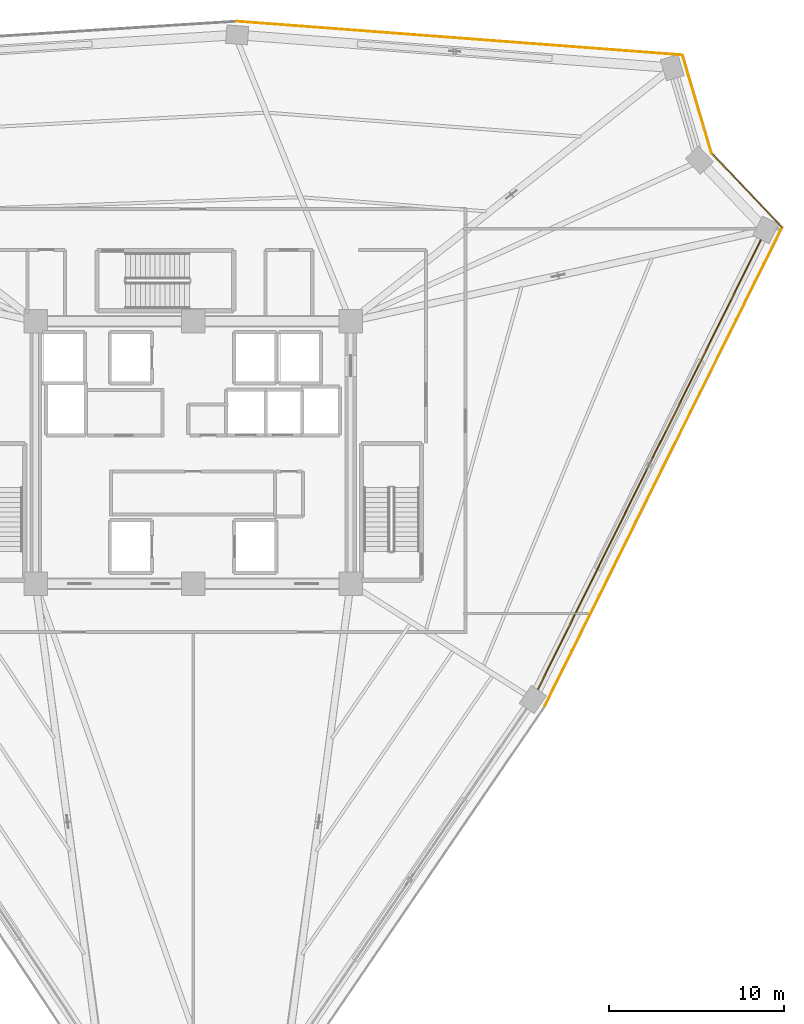
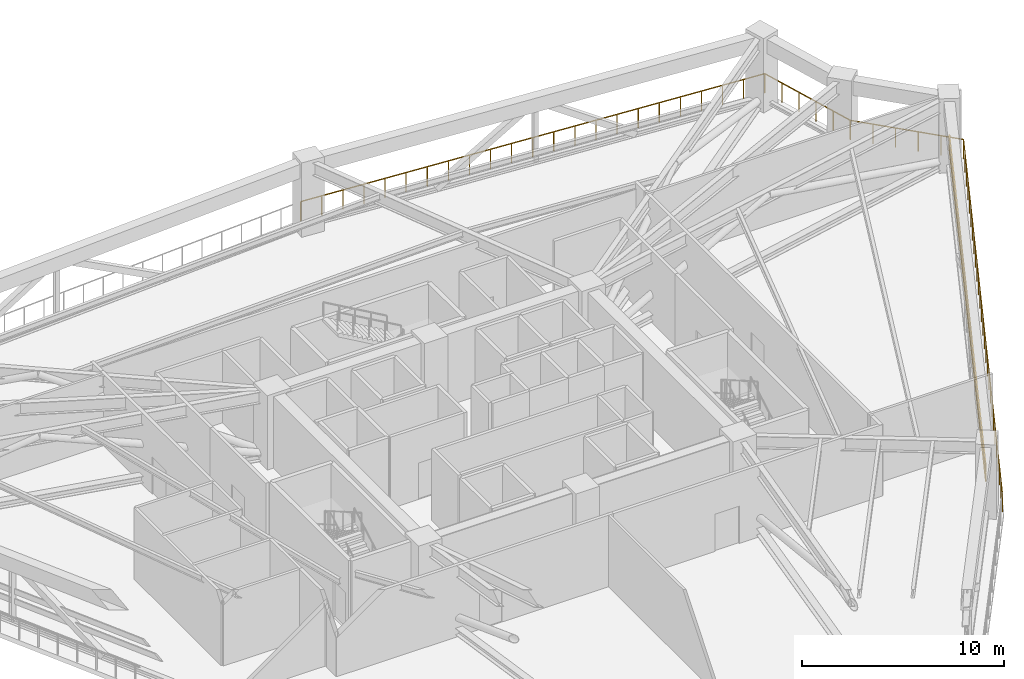
# One storey, part 25 of 25: 4 railings, 2 shading devices.
"""IFC4 building model written with IfcOpenShell, lengths in metres."""

from ifc_helpers import new_model, si_unit, direction, frame, origin, origin_2d, place, context, subcontext, project, spatial, rectangle, extrude, source, transform, mapped, material, material_profile, profile_set, type_object, element, save


model = new_model("IFC4")

# Units and contexts
model_context = context("Model", 3, precision=1e-05, world=origin(), true_north=direction((0.0, 1.0)))
body_context = subcontext(model_context, "Body", "Model", "MODEL_VIEW")
ifc_project = project(units=[si_unit("LENGTHUNIT", "METRE"), si_unit("AREAUNIT", "SQUARE_METRE"), si_unit("VOLUMEUNIT", "CUBIC_METRE"), si_unit("PLANEANGLEUNIT", "RADIAN"), si_unit("MASSUNIT", "GRAM", prefix="KILO")], contexts=[model_context])

# Site, building, storey
site_placement = place(None, origin())
site = spatial("IfcSite", under=ifc_project, at=site_placement, CompositionType="ELEMENT")
building_placement = place(site_placement, origin())
building = spatial("IfcBuilding", under=site, at=building_placement, Name="Liaohun Quay Tower", CompositionType="ELEMENT")
storey_placement = place(building_placement, frame((0.0, 0.0, 231.75)))
storey = spatial("IfcBuildingStorey", under=building, at=storey_placement, Name="L60", CompositionType="ELEMENT", Elevation=231.75)

# Railings
ifc_material_1 = material(Name="Galvanised and powder-coated steel", Category="steel")
railing_type = type_object("IfcRailingType", Name="RLG-GUARD-EXT", PredefinedType="GUARDRAIL", material=ifc_material_1)
railing_1_placement = place(storey_placement, frame((62.52294921875, 78.64111328125, 0.0)))
element("IfcRailing", 1, at=railing_1_placement, inside=storey, type_object=railing_type, Name="L60 Open Refuge Band Perimeter Guardrail 06", PredefinedType="GUARDRAIL", context=body_context, shape_type="SweptSolid", body=[
    extrude(rectangle(XDim=0.048095703125, YDim=0.048095703125, at=origin_2d()), frame((0.0, 0.0, 1.17578125), z_axis=(0.997156570407, -0.07535764125, 0.0), x_axis=(0.07535764125, 0.997156570407, 0.0)), (0.0, 0.0, 1.0), 25.51953125),
    extrude(rectangle(XDim=0.0419921875, YDim=0.0419921875, at=origin_2d()), origin(), (0.0, 0.0, 1.0), 1.15185546875),
    extrude(rectangle(XDim=0.0419921875, YDim=0.0419921875, at=origin_2d()), frame((1.15673828125, -0.08740234375, 0.0)), (0.0, 0.0, 1.0), 1.15185546875),
    extrude(rectangle(XDim=0.0419921875, YDim=0.0419921875, at=origin_2d()), frame((2.3134765625, -0.1748046875, 0.0)), (0.0, 0.0, 1.0), 1.15185546875),
    extrude(rectangle(XDim=0.0419921875, YDim=0.0419921875, at=origin_2d()), frame((3.469970703125, -0.26220703125, 0.0)), (0.0, 0.0, 1.0), 1.15185546875),
    extrude(rectangle(XDim=0.0419921875, YDim=0.0419921875, at=origin_2d()), frame((4.626708984375, -0.349609375, 0.0)), (0.0, 0.0, 1.0), 1.15185546875),
    extrude(rectangle(XDim=0.0419921875, YDim=0.0419921875, at=origin_2d()), frame((5.783447265625, -0.43701171875, 0.0)), (0.0, 0.0, 1.0), 1.15185546875),
    extrude(rectangle(XDim=0.0419921875, YDim=0.0419921875, at=origin_2d()), frame((6.940185546875, -0.5244140625, 0.0)), (0.0, 0.0, 1.0), 1.15185546875),
    extrude(rectangle(XDim=0.0419921875, YDim=0.0419921875, at=origin_2d()), frame((8.0966796875, -0.61181640625, 0.0)), (0.0, 0.0, 1.0), 1.15185546875),
    extrude(rectangle(XDim=0.0419921875, YDim=0.0419921875, at=origin_2d()), frame((9.25341796875, -0.69921875, 0.0)), (0.0, 0.0, 1.0), 1.15185546875),
    extrude(rectangle(XDim=0.0419921875, YDim=0.0419921875, at=origin_2d()), frame((10.41015625, -0.78662109375, 0.0)), (0.0, 0.0, 1.0), 1.15185546875),
    extrude(rectangle(XDim=0.0419921875, YDim=0.0419921875, at=origin_2d()), frame((11.56689453125, -0.8740234375, 0.0)), (0.0, 0.0, 1.0), 1.15185546875),
    extrude(rectangle(XDim=0.0419921875, YDim=0.0419921875, at=origin_2d()), frame((12.7236328125, -0.96142578125, 0.0)), (0.0, 0.0, 1.0), 1.15185546875),
    extrude(rectangle(XDim=0.0419921875, YDim=0.0419921875, at=origin_2d()), frame((13.880126953125, -1.049072265625, 0.0)), (0.0, 0.0, 1.0), 1.15185546875),
    extrude(rectangle(XDim=0.0419921875, YDim=0.0419921875, at=origin_2d()), frame((15.036865234375, -1.136474609375, 0.0)), (0.0, 0.0, 1.0), 1.15185546875),
    extrude(rectangle(XDim=0.0419921875, YDim=0.0419921875, at=origin_2d()), frame((16.193603515625, -1.223876953125, 0.0)), (0.0, 0.0, 1.0), 1.15185546875),
    extrude(rectangle(XDim=0.0419921875, YDim=0.0419921875, at=origin_2d()), frame((17.350341796875, -1.311279296875, 0.0)), (0.0, 0.0, 1.0), 1.15185546875),
    extrude(rectangle(XDim=0.0419921875, YDim=0.0419921875, at=origin_2d()), frame((18.5068359375, -1.398681640625, 0.0)), (0.0, 0.0, 1.0), 1.15185546875),
    extrude(rectangle(XDim=0.0419921875, YDim=0.0419921875, at=origin_2d()), frame((19.66357421875, -1.486083984375, 0.0)), (0.0, 0.0, 1.0), 1.15185546875),
    extrude(rectangle(XDim=0.0419921875, YDim=0.0419921875, at=origin_2d()), frame((20.8203125, -1.573486328125, 0.0)), (0.0, 0.0, 1.0), 1.15185546875),
    extrude(rectangle(XDim=0.0419921875, YDim=0.0419921875, at=origin_2d()), frame((21.97705078125, -1.660888671875, 0.0)), (0.0, 0.0, 1.0), 1.15185546875),
    extrude(rectangle(XDim=0.0419921875, YDim=0.0419921875, at=origin_2d()), frame((23.133544921875, -1.748291015625, 0.0)), (0.0, 0.0, 1.0), 1.15185546875),
    extrude(rectangle(XDim=0.0419921875, YDim=0.0419921875, at=origin_2d()), frame((24.290283203125, -1.835693359375, 0.0)), (0.0, 0.0, 1.0), 1.15185546875),
    extrude(rectangle(XDim=0.0419921875, YDim=0.0419921875, at=origin_2d()), frame((25.447021484375, -1.923095703125, 0.0)), (0.0, 0.0, 1.0), 1.15185546875),
])
railing_2_placement = place(storey_placement, frame((87.969970703125, 76.718017578125, 0.0)))
element("IfcRailing", 2, at=railing_2_placement, inside=storey, type_object=railing_type, Name="L60 Open Refuge Band Perimeter Guardrail 07", PredefinedType="GUARDRAIL", context=body_context, shape_type="SweptSolid", body=[
    extrude(rectangle(XDim=0.048095703125, YDim=0.048095703125, at=origin_2d()), frame((0.0, 0.0, 1.17578125), z_axis=(0.282617981973, -0.959232545458, 0.0), x_axis=(0.959232545458, 0.282617981973, 0.0)), (0.0, 0.0, 1.0), 5.8525390625),
    extrude(rectangle(XDim=0.0419921875, YDim=0.0419921875, at=origin_2d()), origin(), (0.0, 0.0, 1.0), 1.15185546875),
    extrude(rectangle(XDim=0.0419921875, YDim=0.0419921875, at=origin_2d()), frame((0.330810546875, -1.122802734375, 0.0)), (0.0, 0.0, 1.0), 1.15185546875),
    extrude(rectangle(XDim=0.0419921875, YDim=0.0419921875, at=origin_2d()), frame((0.66162109375, -2.24560546875, 0.0)), (0.0, 0.0, 1.0), 1.15185546875),
    extrude(rectangle(XDim=0.0419921875, YDim=0.0419921875, at=origin_2d()), frame((0.992431640625, -3.368408203125, 0.0)), (0.0, 0.0, 1.0), 1.15185546875),
    extrude(rectangle(XDim=0.0419921875, YDim=0.0419921875, at=origin_2d()), frame((1.3232421875, -4.4912109375, 0.0)), (0.0, 0.0, 1.0), 1.15185546875),
    extrude(rectangle(XDim=0.0419921875, YDim=0.0419921875, at=origin_2d()), frame((1.654052734375, -5.614013671875, 0.0)), (0.0, 0.0, 1.0), 1.15185546875),
])
railing_3_placement = place(storey_placement, frame((89.6240234375, 71.10400390625, 0.0)))
element("IfcRailing", 3, at=railing_3_placement, inside=storey, type_object=railing_type, Name="L60 Open Refuge Band Perimeter Guardrail 08", PredefinedType="GUARDRAIL", context=body_context, shape_type="SweptSolid", body=[
    extrude(rectangle(XDim=0.048095703125, YDim=0.048095703125, at=origin_2d()), frame((0.0, 0.0, 1.17578125), z_axis=(0.689199879391, -0.724571270647, 0.0), x_axis=(0.724571270647, 0.689199879391, 0.0)), (0.0, 0.0, 1.0), 5.85302734375),
    extrude(rectangle(XDim=0.0419921875, YDim=0.0419921875, at=origin_2d()), origin(), (0.0, 0.0, 1.0), 1.15185546875),
    extrude(rectangle(XDim=0.0419921875, YDim=0.0419921875, at=origin_2d()), frame((0.806884765625, -0.84814453125, 0.0)), (0.0, 0.0, 1.0), 1.15185546875),
    extrude(rectangle(XDim=0.0419921875, YDim=0.0419921875, at=origin_2d()), frame((1.613525390625, -1.6962890625, 0.0)), (0.0, 0.0, 1.0), 1.15185546875),
    extrude(rectangle(XDim=0.0419921875, YDim=0.0419921875, at=origin_2d()), frame((2.42041015625, -2.544677734375, 0.0)), (0.0, 0.0, 1.0), 1.15185546875),
    extrude(rectangle(XDim=0.0419921875, YDim=0.0419921875, at=origin_2d()), frame((3.22705078125, -3.392822265625, 0.0)), (0.0, 0.0, 1.0), 1.15185546875),
    extrude(rectangle(XDim=0.0419921875, YDim=0.0419921875, at=origin_2d()), frame((4.033935546875, -4.240966796875, 0.0)), (0.0, 0.0, 1.0), 1.15185546875),
])
railing_4_placement = place(storey_placement, frame((93.657958984375, 66.863037109375, 0.0)))
element("IfcRailing", 4, at=railing_4_placement, inside=storey, type_object=railing_type, Name="L60 Open Refuge Band Perimeter Guardrail 09", PredefinedType="GUARDRAIL", context=body_context, shape_type="SweptSolid", body=[
    extrude(rectangle(XDim=0.048095703125, YDim=0.048095703125, at=origin_2d()), frame((0.0, 0.0, 1.17578125), z_axis=(-0.44447205598, -0.895792716789, 0.0), x_axis=(0.895792716789, -0.44447205598, 0.0)), (0.0, 0.0, 1.0), 30.550537109375),
    extrude(rectangle(XDim=0.0419921875, YDim=0.0419921875, at=origin_2d()), origin(), (0.0, 0.0, 1.0), 1.15185546875),
    extrude(rectangle(XDim=0.0419921875, YDim=0.0419921875, at=origin_2d()), frame((-0.522216796875, -1.052490234375, 0.0)), (0.0, 0.0, 1.0), 1.15185546875),
    extrude(rectangle(XDim=0.0419921875, YDim=0.0419921875, at=origin_2d()), frame((-1.04443359375, -2.105224609375, 0.0)), (0.0, 0.0, 1.0), 1.15185546875),
    extrude(rectangle(XDim=0.0419921875, YDim=0.0419921875, at=origin_2d()), frame((-1.56689453125, -3.15771484375, 0.0)), (0.0, 0.0, 1.0), 1.15185546875),
    extrude(rectangle(XDim=0.0419921875, YDim=0.0419921875, at=origin_2d()), frame((-2.089111328125, -4.210205078125, 0.0)), (0.0, 0.0, 1.0), 1.15185546875),
    extrude(rectangle(XDim=0.0419921875, YDim=0.0419921875, at=origin_2d()), frame((-2.611328125, -5.262939453125, 0.0)), (0.0, 0.0, 1.0), 1.15185546875),
    extrude(rectangle(XDim=0.0419921875, YDim=0.0419921875, at=origin_2d()), frame((-3.133544921875, -6.3154296875, 0.0)), (0.0, 0.0, 1.0), 1.15185546875),
    extrude(rectangle(XDim=0.0419921875, YDim=0.0419921875, at=origin_2d()), frame((-3.65576171875, -7.367919921875, 0.0)), (0.0, 0.0, 1.0), 1.15185546875),
    extrude(rectangle(XDim=0.0419921875, YDim=0.0419921875, at=origin_2d()), frame((-4.17822265625, -8.420654296875, 0.0)), (0.0, 0.0, 1.0), 1.15185546875),
    extrude(rectangle(XDim=0.0419921875, YDim=0.0419921875, at=origin_2d()), frame((-4.700439453125, -9.47314453125, 0.0)), (0.0, 0.0, 1.0), 1.15185546875),
    extrude(rectangle(XDim=0.0419921875, YDim=0.0419921875, at=origin_2d()), frame((-5.22265625, -10.525634765625, 0.0)), (0.0, 0.0, 1.0), 1.15185546875),
    extrude(rectangle(XDim=0.0419921875, YDim=0.0419921875, at=origin_2d()), frame((-5.744873046875, -11.578369140625, 0.0)), (0.0, 0.0, 1.0), 1.15185546875),
    extrude(rectangle(XDim=0.0419921875, YDim=0.0419921875, at=origin_2d()), frame((-6.26708984375, -12.630859375, 0.0)), (0.0, 0.0, 1.0), 1.15185546875),
    extrude(rectangle(XDim=0.0419921875, YDim=0.0419921875, at=origin_2d()), frame((-6.78955078125, -13.68359375, 0.0)), (0.0, 0.0, 1.0), 1.15185546875),
    extrude(rectangle(XDim=0.0419921875, YDim=0.0419921875, at=origin_2d()), frame((-7.311767578125, -14.736083984375, 0.0)), (0.0, 0.0, 1.0), 1.15185546875),
    extrude(rectangle(XDim=0.0419921875, YDim=0.0419921875, at=origin_2d()), frame((-7.833984375, -15.78857421875, 0.0)), (0.0, 0.0, 1.0), 1.15185546875),
    extrude(rectangle(XDim=0.0419921875, YDim=0.0419921875, at=origin_2d()), frame((-8.356201171875, -16.84130859375, 0.0)), (0.0, 0.0, 1.0), 1.15185546875),
    extrude(rectangle(XDim=0.0419921875, YDim=0.0419921875, at=origin_2d()), frame((-8.87841796875, -17.893798828125, 0.0)), (0.0, 0.0, 1.0), 1.15185546875),
    extrude(rectangle(XDim=0.0419921875, YDim=0.0419921875, at=origin_2d()), frame((-9.400634765625, -18.9462890625, 0.0)), (0.0, 0.0, 1.0), 1.15185546875),
    extrude(rectangle(XDim=0.0419921875, YDim=0.0419921875, at=origin_2d()), frame((-9.923095703125, -19.9990234375, 0.0)), (0.0, 0.0, 1.0), 1.15185546875),
    extrude(rectangle(XDim=0.0419921875, YDim=0.0419921875, at=origin_2d()), frame((-10.4453125, -21.051513671875, 0.0)), (0.0, 0.0, 1.0), 1.15185546875),
    extrude(rectangle(XDim=0.0419921875, YDim=0.0419921875, at=origin_2d()), frame((-10.967529296875, -22.10400390625, 0.0)), (0.0, 0.0, 1.0), 1.15185546875),
    extrude(rectangle(XDim=0.0419921875, YDim=0.0419921875, at=origin_2d()), frame((-11.48974609375, -23.15673828125, 0.0)), (0.0, 0.0, 1.0), 1.15185546875),
    extrude(rectangle(XDim=0.0419921875, YDim=0.0419921875, at=origin_2d()), frame((-12.011962890625, -24.209228515625, 0.0)), (0.0, 0.0, 1.0), 1.15185546875),
    extrude(rectangle(XDim=0.0419921875, YDim=0.0419921875, at=origin_2d()), frame((-12.534423828125, -25.26171875, 0.0)), (0.0, 0.0, 1.0), 1.15185546875),
    extrude(rectangle(XDim=0.0419921875, YDim=0.0419921875, at=origin_2d()), frame((-13.056640625, -26.314453125, 0.0)), (0.0, 0.0, 1.0), 1.15185546875),
    extrude(rectangle(XDim=0.0419921875, YDim=0.0419921875, at=origin_2d()), frame((-13.578857421875, -27.366943359375, 0.0)), (0.0, 0.0, 1.0), 1.15185546875),
])

# Shading devices
ifc_material_2 = material(Name="Fluorocarbon-coated aluminium", Category="aluminium")
ifc_material_profile = material_profile(ifc_material_2, rectangle(XDim=0.06494140625, YDim=0.320068359375, at=origin_2d()), Name="ALU-LVR-320x65")
ifc_profile_set = profile_set([ifc_material_profile], Name="Fluorocarbon-coated aluminium")
shading_device_type = type_object("IfcShadingDeviceType", Name="SHD-LVR-REF", PredefinedType="USERDEFINED", material=ifc_profile_set)
shared_shape = source(origin(), body_context, "Body", "SweptSolid", [
    extrude(rectangle(XDim=0.06494140625, YDim=0.320068359375, at=origin_2d()), origin(), (0.0, 0.0, 1.0), 28.729248046875),
])
for number, where, z_axis, x_axis, name in (
    (5, (92.4560546875, 66.172119140625, 1.550048828125), (-0.444495577874, -0.895781045373, 0.0), (0.895781045373, -0.444495577874, 0.0), "L60 Refuge Plant Acoustic Louvre Blade LV-1-05"),
    (6, (92.4560546875, 66.172119140625, 2.14990234375), (-0.444495577874, -0.895781045373, 0.0), (0.895781045373, -0.444495577874, 0.0), "L60 Refuge Plant Acoustic Louvre Blade LV-1-06"),
):
    element("IfcShadingDevice", number, at=place(storey_placement, frame(where, z_axis=z_axis, x_axis=x_axis)), inside=storey, type_object=shading_device_type, Name=name, ObjectType="LOUVRE", PredefinedType="USERDEFINED", context=body_context, shape_type="MappedRepresentation", body=[
        mapped(shared_shape, transform((0.0, 0.0, 0.0), x_axis=(1.0, 0.0, 0.0), y_axis=(0.0, 1.0, 0.0), z_axis=(0.0, 0.0, 1.0), scale=1.0)),
    ])

save(model, "model.ifc")
